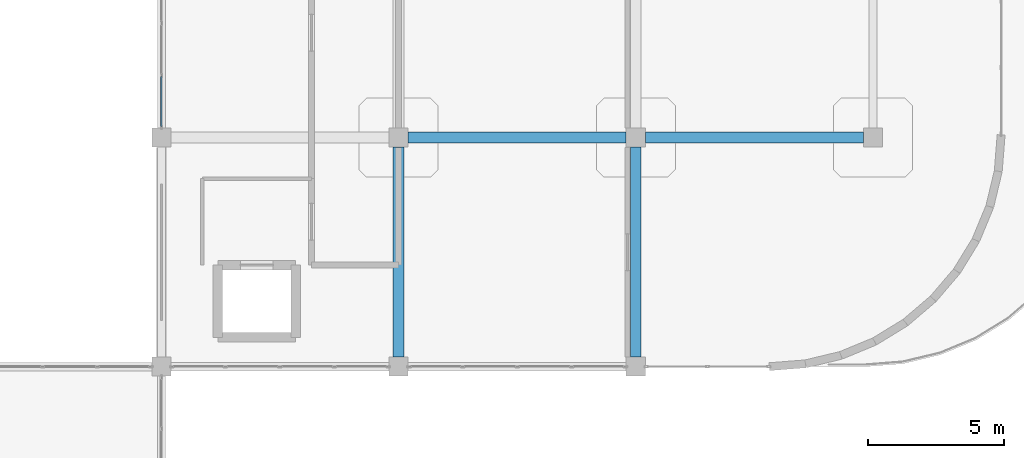
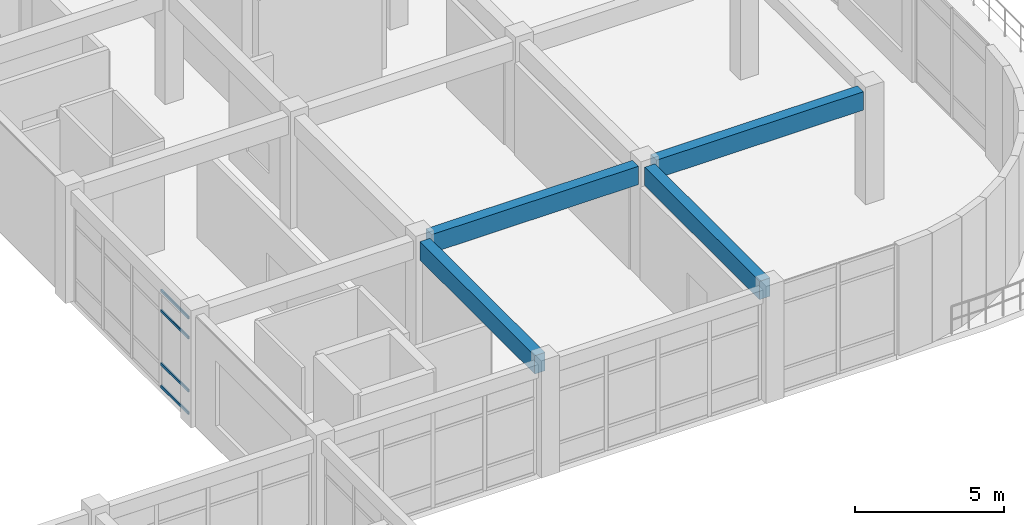
# One storey, part 42 of 76: 4 beams, 4 members, 1 element without a shape of its own.
"""IFC4 building model written with IfcOpenShell, lengths in metres."""

from ifc_helpers import new_model, si_unit, derived_unit, direction, frame, origin, origin_2d, place, context, subcontext, project, spatial, rectangle, hollow_rectangle, extrude, material, layer, layer_set, material_profile, profile_set, type_object, element, aggregate, save


model = new_model("IFC4")

# Units and contexts
model_context = context("Model", 3, precision=1e-05, world=origin(), true_north=direction((0.0, 1.0)))
body_context = subcontext(model_context, "Body", "Model", "MODEL_VIEW")
ifc_project = project(units=[si_unit("LENGTHUNIT", "METRE"), si_unit("AREAUNIT", "SQUARE_METRE"), si_unit("VOLUMEUNIT", "CUBIC_METRE"), si_unit("PLANEANGLEUNIT", "RADIAN"), si_unit("MASSUNIT", "GRAM", prefix="KILO"), derived_unit("THERMALTRANSMITTANCEUNIT", [(si_unit("MASSUNIT", "GRAM", prefix="KILO"), 1), (si_unit("TIMEUNIT", "SECOND"), -3), (si_unit("THERMODYNAMICTEMPERATUREUNIT", "KELVIN"), -1)])], contexts=[model_context])

# Site, building, storey
site_placement = place(None, origin())
site = spatial("IfcSite", under=ifc_project, at=site_placement, CompositionType="ELEMENT")
building_placement = place(site_placement, origin())
building = spatial("IfcBuilding", under=site, at=building_placement, Name="Qinzheling Arcade Emporium", CompositionType="ELEMENT")
storey_placement = place(building_placement, frame((0.0, 0.0, 26.699951171875)))
storey = spatial("IfcBuildingStorey", under=building, at=storey_placement, Name="L06", CompositionType="ELEMENT", Elevation=26.699951171875)

# Curtain wall, members
ifc_material_1 = material(Name="Anodised aluminium and solar-control double glazing", Category="aluminium")
ifc_layer = layer(ifc_material_1, 0.159912109375, Name="Anodised aluminium and solar-control double glazing", Category="aluminium")
ifc_layer_set = layer_set([ifc_layer], Name="Anodised aluminium and solar-control double glazing")
curtain_wall_type = type_object("IfcCurtainWallType", Name="Arcade Portal Glazed Curtain Wall", PredefinedType="NOTDEFINED", material=ifc_layer_set)
curtain_wall_placement = place(storey_placement, origin())
curtain_wall = element("IfcCurtainWall", 1, at=curtain_wall_placement, inside=storey, type_object=curtain_wall_type, Name="Curtain Wall CW-L06-382", PredefinedType="NOTDEFINED")
ifc_material_2 = material(Name="Anodised aluminium 6063-T6", Category="aluminium")
ifc_material_profile_1 = material_profile(ifc_material_2, hollow_rectangle(XDim=0.06005859375, YDim=0.1201171875, WallThickness=0.00390625, InnerFilletRadius=0.00390625, OuterFilletRadius=0.008056640625, at=origin_2d()), Name="RHS 120x60x4", Category="aluminium")
ifc_profile_set_1 = profile_set([ifc_material_profile_1], Name="Anodised aluminium 6063-T6")
member_type = type_object("IfcMemberType", Name="Curtain Wall Transom RHS120x60", PredefinedType="USERDEFINED", material=ifc_profile_set_1)
member_1_placement = place(storey_placement, frame((104.39990234375, 82.612060546875, 0.030029296875), z_axis=(0.0, 1.0, 0.0), x_axis=(-1.0, 0.0, 0.0)))
member_1 = element("IfcMember", 2, at=member_1_placement, type_object=member_type, Name="CW05 transom 1.1", ObjectType="TRANSOM", PredefinedType="USERDEFINED", context=body_context, shape_type="SweptSolid", body=[
    extrude(hollow_rectangle(XDim=0.06005859375, YDim=0.1201171875, WallThickness=0.00390625, InnerFilletRadius=0.00390625, OuterFilletRadius=0.008056640625, at=origin_2d()), origin(), (0.0, 0.0, 1.0), 1.833984375),
])
member_2_placement = place(storey_placement, frame((104.39990234375, 82.612060546875, 0.949951171875), z_axis=(0.0, 1.0, 0.0), x_axis=(-1.0, 0.0, 0.0)))
member_2 = element("IfcMember", 3, at=member_2_placement, type_object=member_type, Name="CW05 transom 1.2", ObjectType="TRANSOM", PredefinedType="USERDEFINED", context=body_context, shape_type="SweptSolid", body=[
    extrude(hollow_rectangle(XDim=0.06005859375, YDim=0.1201171875, WallThickness=0.00390625, InnerFilletRadius=0.00390625, OuterFilletRadius=0.008056640625, at=origin_2d()), origin(), (0.0, 0.0, 1.0), 1.833984375),
])
member_3_placement = place(storey_placement, frame((104.39990234375, 82.612060546875, 3.1201171875), z_axis=(0.0, 1.0, 0.0), x_axis=(-1.0, 0.0, 0.0)))
member_3 = element("IfcMember", 4, at=member_3_placement, type_object=member_type, Name="CW05 transom 1.3", ObjectType="TRANSOM", PredefinedType="USERDEFINED", context=body_context, shape_type="SweptSolid", body=[
    extrude(hollow_rectangle(XDim=0.06005859375, YDim=0.1201171875, WallThickness=0.00390625, InnerFilletRadius=0.00390625, OuterFilletRadius=0.008056640625, at=origin_2d()), origin(), (0.0, 0.0, 1.0), 1.833984375),
])
member_4_placement = place(storey_placement, frame((104.39990234375, 82.612060546875, 3.93994140625), z_axis=(0.0, 1.0, 0.0), x_axis=(-1.0, 0.0, 0.0)))
member_4 = element("IfcMember", 5, at=member_4_placement, type_object=member_type, Name="CW05 transom 1.4", ObjectType="TRANSOM", PredefinedType="USERDEFINED", context=body_context, shape_type="SweptSolid", body=[
    extrude(hollow_rectangle(XDim=0.06005859375, YDim=0.1201171875, WallThickness=0.00390625, InnerFilletRadius=0.00390625, OuterFilletRadius=0.008056640625, at=origin_2d()), origin(), (0.0, 0.0, 1.0), 1.833984375),
])
aggregate(curtain_wall, [member_1, member_2, member_3, member_4])

# Beams
ifc_material_3 = material(Name="Concrete C40", Category="concrete")
ifc_material_profile_2 = material_profile(ifc_material_3, rectangle(XDim=0.39990234375, YDim=0.75, at=origin_2d()), Name="RC 400x750", Category="concrete")
ifc_profile_set_2 = profile_set([ifc_material_profile_2], Name="Concrete C40")
beam_type = type_object("IfcBeamType", Name="RC Interior Tie Beam 400x750 C40", PredefinedType="BEAM", material=ifc_profile_set_2)
for number, where, z_axis, x_axis, name in (
    (6, (113.449951171875, 82.199951171875, 4.16015625), (1.0, 0.0, 0.0), (0.0, 1.0, 0.0), "Beam BM-L06-X-K-14"),
    (7, (122.14990234375, 82.199951171875, 4.16015625), (1.0, 0.0, 0.0), (0.0, 1.0, 0.0), "Beam BM-L06-X-K-15"),
):
    element("IfcBeam", number, at=place(storey_placement, frame(where, z_axis=z_axis, x_axis=x_axis)), inside=storey, type_object=beam_type, Name=name, PredefinedType="BEAM", context=body_context, shape_type="SweptSolid", body=[
        extrude(rectangle(XDim=0.39990234375, YDim=0.75, at=origin_2d()), origin(), (0.0, 0.0, 1.0), 8.0),
    ])
for number, where, z_axis, x_axis, name in (
    (8, (113.10009765625, 74.14990234375, 4.16015625), (0.0, 1.0, 0.0), (-1.0, 0.0, 0.0), "Beam BM-L06-Y-14-J"),
    (9, (121.800048828125, 74.14990234375, 4.16015625), (0.0, 1.0, 0.0), (-1.0, 0.0, 0.0), "Beam BM-L06-Y-15-J"),
):
    element("IfcBeam", number, at=place(storey_placement, frame(where, z_axis=z_axis, x_axis=x_axis)), inside=storey, type_object=beam_type, Name=name, PredefinedType="BEAM", context=body_context, shape_type="SweptSolid", body=[
        extrude(rectangle(XDim=0.39990234375, YDim=0.75, at=origin_2d()), origin(), (0.0, 0.0, 1.0), 7.7001953125),
    ])

save(model, "model.ifc")
